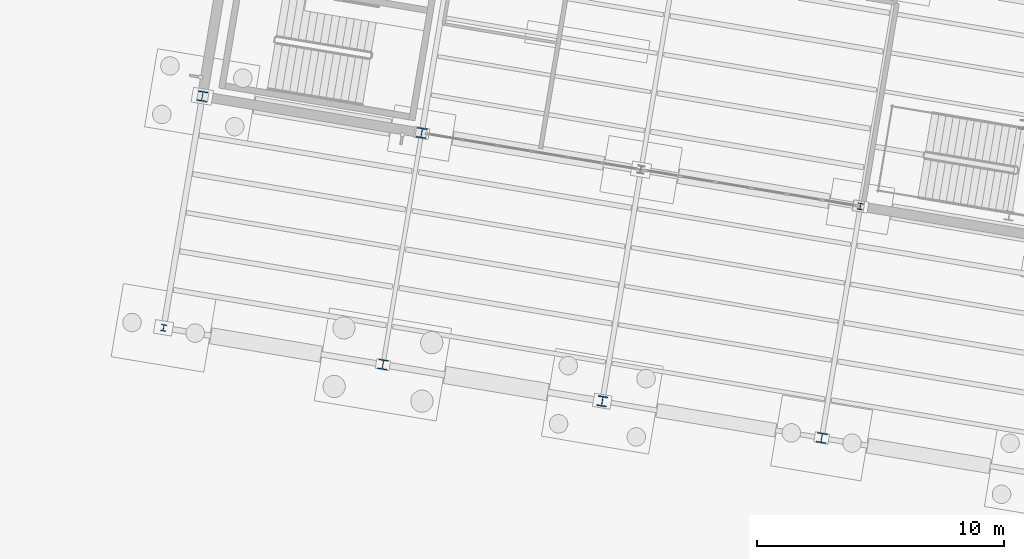
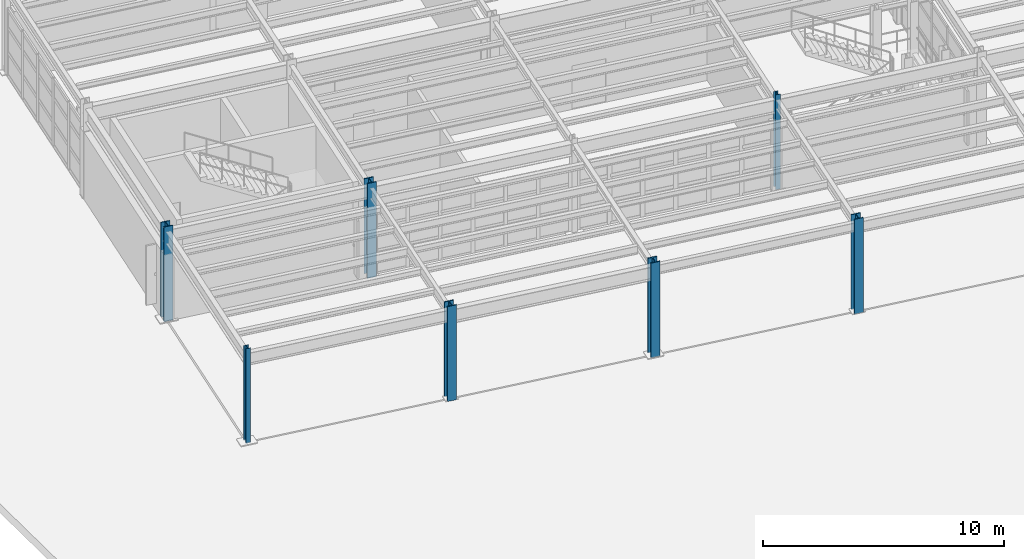
# One storey, part 19 of 108: 7 columns.
"""IFC4 building model written with IfcOpenShell, lengths in metres."""

from ifc_helpers import new_model, si_unit, direction, frame, origin, origin_2d, place, context, subcontext, project, spatial, i_section, extrude, material, material_profile, profile_set, type_object, element, save


model = new_model("IFC4")

# Units and contexts
model_context = context("Model", 3, precision=1e-05, world=origin(), true_north=direction((0.0, 1.0)))
body_context = subcontext(model_context, "Body", "Model", "MODEL_VIEW")
ifc_project = project(units=[si_unit("LENGTHUNIT", "METRE"), si_unit("AREAUNIT", "SQUARE_METRE"), si_unit("VOLUMEUNIT", "CUBIC_METRE"), si_unit("PLANEANGLEUNIT", "RADIAN"), si_unit("MASSUNIT", "GRAM", prefix="KILO")], contexts=[model_context])

# Site, building, storey
site_placement = place(None, origin())
site = spatial("IfcSite", under=ifc_project, at=site_placement, CompositionType="ELEMENT")
building_placement = place(site_placement, origin())
building = spatial("IfcBuilding", under=site, at=building_placement, Name="Vireo Bluff Cable Station", CompositionType="ELEMENT")
storey_placement = place(building_placement, origin())
storey = spatial("IfcBuildingStorey", under=building, at=storey_placement, Name="L00", CompositionType="ELEMENT", Elevation=0.0)

# Columns
ifc_material = material(Name="Steel ASTM A992 Gr. 50", Category="steel")
ifc_material_profile_1 = material_profile(ifc_material, i_section(OverallWidth=0.404052734375, OverallDepth=0.406005859375, WebThickness=0.027099609375, FlangeThickness=0.043701171875, FilletRadius=0.014892578125, at=origin_2d()), Name="W14X233")
ifc_profile_set_1 = profile_set([ifc_material_profile_1], Name="Steel ASTM A992 Gr. 50")
column_type_1 = type_object("IfcColumnType", Name="COL-W14X233", PredefinedType="COLUMN", material=ifc_profile_set_1)
for number, where, z_axis, x_axis, name in (
    (1, (14.37646484375, 70.0146484375, 0.0), (0.0, 0.0, 1.0), (0.986285601537, -0.165047605861, 0.0), "V4 L00 column 261"),
    (2, (32.129638671875, 67.043701171875, 0.0), (0.0, 0.0, 1.0), (0.986285601537, -0.165047605861, 0.0), "V4 L00 column 291"),
):
    element("IfcColumn", number, at=place(storey_placement, frame(where, z_axis=z_axis, x_axis=x_axis)), inside=storey, type_object=column_type_1, Name=name, PredefinedType="COLUMN", context=body_context, shape_type="SweptSolid", body=[
        extrude(i_section(OverallWidth=0.404052734375, OverallDepth=0.406005859375, WebThickness=0.027099609375, FlangeThickness=0.043701171875, FilletRadius=0.014892578125, at=origin_2d()), origin(), (0.0, 0.0, 1.0), 4.800048828125),
    ])
ifc_material_profile_2 = material_profile(ifc_material, i_section(OverallWidth=0.408935546875, OverallDepth=0.424072265625, WebThickness=0.03271484375, FlangeThickness=0.052490234375, FilletRadius=0.014892578125, at=origin_2d()), Name="W14X283")
ifc_profile_set_2 = profile_set([ifc_material_profile_2], Name="Steel ASTM A992 Gr. 50")
column_type_2 = type_object("IfcColumnType", Name="COL-W14X283", PredefinedType="COLUMN", material=ifc_profile_set_2)
column_1_placement = place(storey_placement, frame((23.253173828125, 68.529052734375, 0.0), z_axis=(0.0, 0.0, 1.0), x_axis=(0.986285601537, -0.165047605861, 0.0)))
element("IfcColumn", 3, at=column_1_placement, inside=storey, type_object=column_type_2, Name="V4 L00 column 276", PredefinedType="COLUMN", context=body_context, shape_type="SweptSolid", body=[
    extrude(i_section(OverallWidth=0.408935546875, OverallDepth=0.424072265625, WebThickness=0.03271484375, FlangeThickness=0.052490234375, FilletRadius=0.014892578125, at=origin_2d()), origin(), (0.0, 0.0, 1.0), 4.800048828125),
])
ifc_material_profile_3 = material_profile(ifc_material, i_section(OverallWidth=0.40087890625, OverallDepth=0.39892578125, WebThickness=0.02490234375, FlangeThickness=0.03955078125, FilletRadius=0.014892578125, at=origin_2d()), Name="W14X211")
ifc_profile_set_3 = profile_set([ifc_material_profile_3], Name="Steel ASTM A992 Gr. 50")
column_type_3 = type_object("IfcColumnType", Name="ECOL-W14X211", PredefinedType="COLUMN", material=ifc_profile_set_3)
column_2_placement = place(storey_placement, frame((7.06787109375, 80.86962890625, 0.0), z_axis=(0.0, 0.0, 1.0), x_axis=(0.986285601537, -0.165047605861, 0.0)))
element("IfcColumn", 4, at=column_2_placement, inside=storey, type_object=column_type_3, Name="V4 L00 column 249", PredefinedType="COLUMN", context=body_context, shape_type="SweptSolid", body=[
    extrude(i_section(OverallWidth=0.40087890625, OverallDepth=0.39892578125, WebThickness=0.02490234375, FlangeThickness=0.03955078125, FilletRadius=0.014892578125, at=origin_2d()), origin(), (0.0, 0.0, 1.0), 4.800048828125),
])
ifc_material_profile_4 = material_profile(ifc_material, i_section(OverallWidth=0.406005859375, OverallDepth=0.4169921875, WebThickness=0.02978515625, FlangeThickness=0.048095703125, FilletRadius=0.014892578125, at=origin_2d()), Name="W14X257")
ifc_profile_set_4 = profile_set([ifc_material_profile_4], Name="Steel ASTM A992 Gr. 50")
column_type_4 = type_object("IfcColumnType", Name="ECOL-W14X257", PredefinedType="COLUMN", material=ifc_profile_set_4)
column_3_placement = place(storey_placement, frame((15.944580078125, 79.38427734375, 0.0), z_axis=(0.0, 0.0, 1.0), x_axis=(0.986285601537, -0.165047605861, 0.0)))
element("IfcColumn", 5, at=column_3_placement, inside=storey, type_object=column_type_4, Name="V4 L00 column 264", PredefinedType="COLUMN", context=body_context, shape_type="SweptSolid", body=[
    extrude(i_section(OverallWidth=0.406005859375, OverallDepth=0.4169921875, WebThickness=0.02978515625, FlangeThickness=0.048095703125, FilletRadius=0.014892578125, at=origin_2d()), origin(), (0.0, 0.0, 1.0), 4.800048828125),
])
ifc_material_profile_5 = material_profile(ifc_material, i_section(OverallWidth=0.2041015625, OverallDepth=0.257080078125, WebThickness=0.0087890625, FlangeThickness=0.015625, FilletRadius=0.009033203125, at=origin_2d()), Name="W10X45")
ifc_profile_set_5 = profile_set([ifc_material_profile_5], Name="Steel ASTM A992 Gr. 50")
column_type_5 = type_object("IfcColumnType", Name="PIL-W10X45", PredefinedType="PILASTER", material=ifc_profile_set_5)
for number, where, z_axis, x_axis, name in (
    (6, (5.5, 71.5, 0.0), (0.0, 0.0, 1.0), (0.986285601537, -0.165047605861, 0.0), "V4 L00 column 246"),
    (7, (33.69775390625, 76.413330078125, 0.0), (0.0, 0.0, 1.0), (0.986285601537, -0.165047605861, 0.0), "V4 L00 column 294"),
):
    element("IfcColumn", number, at=place(storey_placement, frame(where, z_axis=z_axis, x_axis=x_axis)), inside=storey, type_object=column_type_5, Name=name, PredefinedType="PILASTER", context=body_context, shape_type="SweptSolid", body=[
        extrude(i_section(OverallWidth=0.2041015625, OverallDepth=0.257080078125, WebThickness=0.0087890625, FlangeThickness=0.015625, FilletRadius=0.009033203125, at=origin_2d()), origin(), (0.0, 0.0, 1.0), 4.800048828125),
    ])

save(model, "model.ifc")
